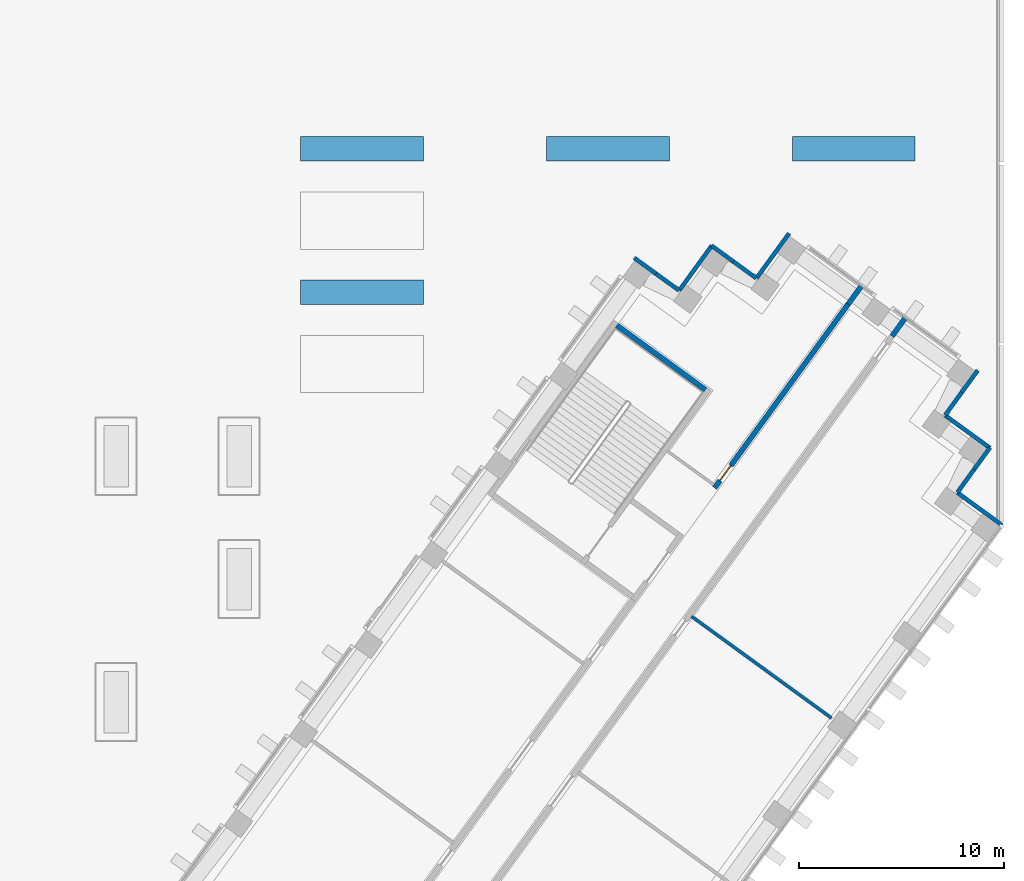
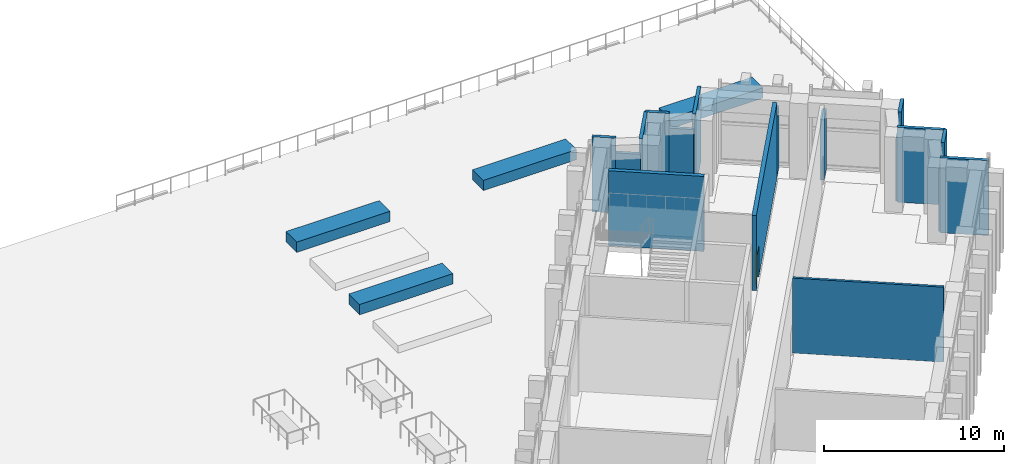
# One storey, part 19 of 25: 21 walls, 1 door, 1 opening.
"""IFC4 building model written with IfcOpenShell, lengths in metres."""

from ifc_helpers import new_model, si_unit, direction, frame, frame_2d, origin, place, context, subcontext, project, spatial, rectangle, extrude, material, layer, layer_set, type_object, element, fill, save


model = new_model("IFC4")

# Units and contexts
model_context = context("Model", 3, precision=1e-05, world=origin(), true_north=direction((0.0, 1.0)))
body_context = subcontext(model_context, "Body", "Model", "MODEL_VIEW")
ifc_project = project(units=[si_unit("LENGTHUNIT", "METRE"), si_unit("AREAUNIT", "SQUARE_METRE"), si_unit("VOLUMEUNIT", "CUBIC_METRE"), si_unit("PLANEANGLEUNIT", "RADIAN"), si_unit("MASSUNIT", "GRAM", prefix="KILO")], contexts=[model_context])

# Site, building, storey
site_placement = place(None, origin())
site = spatial("IfcSite", under=ifc_project, at=site_placement, CompositionType="ELEMENT")
building_placement = place(site_placement, origin())
building = spatial("IfcBuilding", under=site, at=building_placement, Name="Quipu Civic Tower", CompositionType="ELEMENT")
storey_placement = place(building_placement, frame((0.0, 0.0, 6.0)))
storey = spatial("IfcBuildingStorey", under=building, at=storey_placement, Name="L01", CompositionType="ELEMENT", Elevation=6.0)

# Walls
ifc_material_1 = material(Name="Double gypsum plasterboard with mineral wool")
ifc_layer_1 = layer(ifc_material_1, 0.14990234375)
ifc_layer_set_1 = layer_set([ifc_layer_1], Name="Double gypsum plasterboard with mineral wool")
wall_type_1 = type_object("IfcWallType", Name="Acoustic partition 150 plasterboard", PredefinedType="PARTITIONING", material=ifc_layer_set_1)
wall_1_placement = place(storey_placement, frame((46.921142578125, 20.210693359375, 0.0), z_axis=(0.0, 0.0, 1.0), x_axis=(-0.808992136407, 0.587819464829, 0.0)))
element("IfcWall", 1, at=wall_1_placement, inside=storey, type_object=wall_type_1, Name="Partition P02", PredefinedType="PARTITIONING", context=body_context, shape_type="SweptSolid", body=[
    extrude(rectangle(XDim=8.449951171875, YDim=0.14990234375, at=frame_2d((4.22509765625, 0.0))), origin(), (0.0, 0.0, 1.0), 5.10009765625),
])
ifc_material_2 = material(Name="Concrete C70/85", Category="concrete")
ifc_layer_2 = layer(ifc_material_2, 0.25)
ifc_layer_set_2 = layer_set([ifc_layer_2], Name="Concrete C70/85")
wall_type_2 = type_object("IfcWallType", Name="Core wall 250", PredefinedType="SHEAR", material=ifc_layer_set_2)
wall_2_placement = place(storey_placement, frame((40.76708984375, 36.239501953125, 0.0), z_axis=(0.0, 0.0, 1.0), x_axis=(-0.809020161303, 0.587780893365, 0.0)))
element("IfcWall", 2, at=wall_2_placement, inside=storey, type_object=wall_type_2, Name="Core wall", PredefinedType="SHEAR", context=body_context, shape_type="SweptSolid", body=[
    extrude(rectangle(XDim=5.349853515625, YDim=0.25, at=frame_2d((2.6748046875, 0.0))), origin(), (0.0, 0.0, 1.0), 5.10009765625),
])

# Wall, opening, door
ifc_material_3 = material(Name="Concrete C50/60", Category="concrete")
ifc_layer_3 = layer(ifc_material_3, 0.25)
ifc_layer_set_3 = layer_set([ifc_layer_3], Name="Concrete C50/60")
wall_type_3 = type_object("IfcWallType", Name="Corridor wall 250 concrete", PredefinedType="SOLIDWALL", material=ifc_layer_set_3)
wall_3_placement = place(storey_placement, frame((41.213134765625, 31.451416015625, 0.0), z_axis=(0.0, 0.0, 1.0), x_axis=(0.587773291021, 0.809025684612, 0.0)))
wall_3 = element("IfcWall", 3, at=wall_3_placement, inside=storey, type_object=wall_type_3, Name="Corridor wall C07", PredefinedType="SOLIDWALL", context=body_context, shape_type="SweptSolid", body=[
    extrude(rectangle(XDim=11.07861328125, YDim=0.25, at=frame_2d((5.539306640625, 0.0))), origin(), (0.0, 0.0, 1.0), 5.10009765625),
])
opening_placement = place(wall_3_placement, frame((0.44140625, 0.0, 0.0)))
opening = element("IfcOpeningElement", 4, at=opening_placement, cuts=wall_3, Name="Opening D004", PredefinedType="OPENING", context=body_context, shape_type="SweptSolid", body=[
    extrude(rectangle(XDim=0.89990234375, YDim=2.10009765625, at=frame_2d((0.449951171875, 1.050048828125))), frame((0.0, 0.135009765625, 0.0), z_axis=(0.0, -1.0, 0.0), x_axis=(1.0, 0.0, 0.0)), (0.0, 0.0, 1.0), 0.27001953125),
])
ifc_material_4 = material(Name="Fire rated timber door set with metal frame", Category="wood")
door_type = type_object("IfcDoorType", Name="Single door 900 x 2100 FD60", OperationType="NOTDEFINED", PredefinedType="DOOR", material=ifc_material_4)
door_placement = place(opening_placement, origin())
door = element("IfcDoor", 5, at=door_placement, inside=storey, type_object=door_type, Name="Door D004", OperationType="SINGLE_SWING_LEFT", OverallHeight=2.10009765625, OverallWidth=0.89990234375, PredefinedType="DOOR", context=body_context, shape_type="SweptSolid", body=[
    extrude(rectangle(XDim=0.89990234375, YDim=2.10009765625, at=frame_2d((0.449951171875, 1.050048828125))), frame((0.0, 0.02490234375, 0.0), z_axis=(0.0, -1.0, 0.0), x_axis=(1.0, 0.0, 0.0)), (0.0, 0.0, 1.0), 0.050048828125),
])
fill(opening, door)

# Walls
wall_4_placement = place(storey_placement, frame((49.86865234375, 38.8564453125, 0.0), z_axis=(0.0, 0.0, 1.0), x_axis=(0.587674273289, 0.809097613712, 0.0)))
element("IfcWall", 6, at=wall_4_placement, inside=storey, type_object=wall_type_3, Name="Corridor wall C01", PredefinedType="SOLIDWALL", context=body_context, shape_type="SweptSolid", body=[
    extrude(rectangle(XDim=1.109130859375, YDim=0.25, at=frame_2d((0.5546875, 0.0))), origin(), (0.0, 0.0, 1.0), 4.10009765625),
])
wall_5_placement = place(storey_placement, frame((47.724853515625, 40.414306640625, 0.0), z_axis=(0.0, 0.0, 1.0), x_axis=(0.587883639643, 0.808945502639, 0.0)))
element("IfcWall", 7, at=wall_5_placement, inside=storey, type_object=wall_type_3, Name="Corridor wall C07", PredefinedType="SOLIDWALL", context=body_context, shape_type="SweptSolid", body=[
    extrude(rectangle(XDim=1.10888671875, YDim=0.25, at=frame_2d((0.554443359375, 0.0))), origin(), (0.0, 0.0, 1.0), 4.10009765625),
])
ifc_material_5 = material(Name="Concrete C30/37", Category="concrete")
wall_type_4 = type_object("IfcWallType", Name="Garden planter", PredefinedType="SOLIDWALL", material=ifc_material_5)
for number, where, z_axis, x_axis, name in (
    (8, (21.0, 41.0, 0.0), (0.0, 0.0, 1.0), (1.0, 0.0, 0.0), "Garden planter 2"),
    (9, (21.0, 48.0, 0.0), (0.0, 0.0, 1.0), (1.0, 0.0, 0.0), "Garden planter 6"),
    (10, (33.0, 48.0, 0.0), (0.0, 0.0, 1.0), (1.0, 0.0, 0.0), "Garden planter 7"),
    (11, (45.0, 48.0, 0.0), (0.0, 0.0, 1.0), (1.0, 0.0, 0.0), "Garden planter 8"),
):
    element("IfcWall", number, at=place(storey_placement, frame(where, z_axis=z_axis, x_axis=x_axis)), inside=storey, type_object=wall_type_4, Name=name, PredefinedType="SOLIDWALL", context=body_context, shape_type="SweptSolid", body=[
        extrude(rectangle(XDim=6.0, YDim=1.199951171875, at=frame_2d((3.0, 0.0))), origin(), (0.0, 0.0, 1.0), 0.699951171875),
    ])
ifc_material_6 = material(Name="Precast concrete C40/50", Category="concrete")
wall_type_5 = type_object("IfcWallType", Name="Precast cladding wall", PredefinedType="SOLIDWALL", material=ifc_material_6)
wall_6_placement = place(storey_placement, frame((55.2470703125, 29.62890625, 0.0), z_axis=(0.0, 0.0, 1.0), x_axis=(-0.809033161865, 0.587762999008, 0.0)))
element("IfcWall", 12, at=wall_6_placement, inside=storey, type_object=wall_type_5, Name="Precast cladding wall L01 35", PredefinedType="SOLIDWALL", context=body_context, shape_type="SweptSolid", body=[
    extrude(rectangle(XDim=2.699951171875, YDim=0.199951171875, at=frame_2d((1.35009765625, 0.0))), origin(), (0.0, 0.0, 1.0), 5.10009765625),
])
wall_7_placement = place(storey_placement, frame((53.06005859375, 31.232666015625, 0.0), z_axis=(0.0, 0.0, 1.0), x_axis=(0.587776137069, 0.809023616894, 0.0)))
element("IfcWall", 13, at=wall_7_placement, inside=storey, type_object=wall_type_5, Name="Precast cladding wall L01 36", PredefinedType="SOLIDWALL", context=body_context, shape_type="SweptSolid", body=[
    extrude(rectangle(XDim=1.394775390625, YDim=0.199951171875, at=frame_2d((0.697265625, 0.0))), origin(), (0.0, 0.0, 1.0), 4.10009765625),
])
wall_8_placement = place(storey_placement, frame((53.8798828125, 32.361083984375, 0.0), z_axis=(0.0, 0.0, 1.0), x_axis=(0.587871379726, 0.808954412127, 0.0)))
element("IfcWall", 14, at=wall_8_placement, inside=storey, type_object=wall_type_5, Name="Precast cladding wall L01 36 a", PredefinedType="SOLIDWALL", context=body_context, shape_type="SweptSolid", body=[
    extrude(rectangle(XDim=1.30517578125, YDim=0.199951171875, at=frame_2d((0.652587890625, 0.0))), origin(), (0.0, 0.0, 1.0), 5.10009765625),
])
wall_9_placement = place(storey_placement, frame((54.649658203125, 33.400390625, 0.0), z_axis=(0.0, 0.0, 1.0), x_axis=(-0.809033161865, 0.587762999008, 0.0)))
element("IfcWall", 15, at=wall_9_placement, inside=storey, type_object=wall_type_5, Name="Precast cladding wall L01 37", PredefinedType="SOLIDWALL", context=body_context, shape_type="SweptSolid", body=[
    extrude(rectangle(XDim=2.699951171875, YDim=0.199951171875, at=frame_2d((1.35009765625, 0.0))), origin(), (0.0, 0.0, 1.0), 5.10009765625),
])
wall_10_placement = place(storey_placement, frame((52.462646484375, 35.004150390625, 0.0), z_axis=(0.0, 0.0, 1.0), x_axis=(0.587782252522, 0.809019173827, 0.0)))
element("IfcWall", 16, at=wall_10_placement, inside=storey, type_object=wall_type_5, Name="Precast cladding wall L01 38", PredefinedType="SOLIDWALL", context=body_context, shape_type="SweptSolid", body=[
    extrude(rectangle(XDim=1.37939453125, YDim=0.199951171875, at=frame_2d((0.689697265625, 0.0))), origin(), (0.0, 0.0, 1.0), 4.10009765625),
])
wall_11_placement = place(storey_placement, frame((53.2734375, 36.1201171875, 0.0), z_axis=(0.0, 0.0, 1.0), x_axis=(0.58786388341, 0.808959859686, 0.0)))
element("IfcWall", 17, at=wall_11_placement, inside=storey, type_object=wall_type_5, Name="Precast cladding wall L01 38 a", PredefinedType="SOLIDWALL", context=body_context, shape_type="SweptSolid", body=[
    extrude(rectangle(XDim=1.320556640625, YDim=0.199951171875, at=frame_2d((0.66015625, 0.0))), origin(), (0.0, 0.0, 1.0), 5.10009765625),
])
wall_12_placement = place(storey_placement, frame((44.846435546875, 43.875, 0.0), z_axis=(0.0, 0.0, 1.0), x_axis=(-0.587822180636, -0.808990163075, 0.0)))
element("IfcWall", 18, at=wall_12_placement, inside=storey, type_object=wall_type_5, Name="Precast cladding wall L01 41", PredefinedType="SOLIDWALL", context=body_context, shape_type="SweptSolid", body=[
    extrude(rectangle(XDim=2.699951171875, YDim=0.199951171875, at=frame_2d((1.35009765625, 0.0))), origin(), (0.0, 0.0, 1.0), 5.10009765625),
])
wall_13_placement = place(storey_placement, frame((43.242431640625, 41.68798828125, 0.0), z_axis=(0.0, 0.0, 1.0), x_axis=(-0.808926734208, 0.5879094647, 0.0)))
element("IfcWall", 19, at=wall_13_placement, inside=storey, type_object=wall_type_5, Name="Precast cladding wall L01 42", PredefinedType="SOLIDWALL", context=body_context, shape_type="SweptSolid", body=[
    extrude(rectangle(XDim=1.384033203125, YDim=0.199951171875, at=frame_2d((0.69189453125, 0.0))), origin(), (0.0, 0.0, 1.0), 4.10009765625),
])
wall_14_placement = place(storey_placement, frame((42.122802734375, 42.501708984375, 0.0), z_axis=(0.0, 0.0, 1.0), x_axis=(-0.809056865039, 0.587730371117, 0.0)))
element("IfcWall", 20, at=wall_14_placement, inside=storey, type_object=wall_type_5, Name="Precast cladding wall L01 42 a", PredefinedType="SOLIDWALL", context=body_context, shape_type="SweptSolid", body=[
    extrude(rectangle(XDim=1.31591796875, YDim=0.199951171875, at=frame_2d((0.657958984375, 0.0))), origin(), (0.0, 0.0, 1.0), 5.10009765625),
])
wall_15_placement = place(storey_placement, frame((41.074951171875, 43.277587890625, 0.0), z_axis=(0.0, 0.0, 1.0), x_axis=(-0.587806000234, -0.809001919707, 0.0)))
element("IfcWall", 21, at=wall_15_placement, inside=storey, type_object=wall_type_5, Name="Precast cladding wall L01 43", PredefinedType="SOLIDWALL", context=body_context, shape_type="SweptSolid", body=[
    extrude(rectangle(XDim=2.69970703125, YDim=0.199951171875, at=frame_2d((1.349853515625, 0.0))), origin(), (0.0, 0.0, 1.0), 5.10009765625),
])
wall_16_placement = place(storey_placement, frame((39.47119140625, 41.0908203125, 0.0), z_axis=(0.0, 0.0, 1.0), x_axis=(-0.809002762913, 0.58780483972, 0.0)))
element("IfcWall", 22, at=wall_16_placement, inside=storey, type_object=wall_type_5, Name="Precast cladding wall L01 44", PredefinedType="SOLIDWALL", context=body_context, shape_type="SweptSolid", body=[
    extrude(rectangle(XDim=1.38525390625, YDim=0.199951171875, at=frame_2d((0.692626953125, 0.0))), origin(), (0.0, 0.0, 1.0), 4.10009765625),
])
wall_17_placement = place(storey_placement, frame((38.3505859375, 41.905029296875, 0.0), z_axis=(0.0, 0.0, 1.0), x_axis=(-0.809065186597, 0.587718915671, 0.0)))
element("IfcWall", 23, at=wall_17_placement, inside=storey, type_object=wall_type_5, Name="Precast cladding wall L01 44 a", PredefinedType="SOLIDWALL", context=body_context, shape_type="SweptSolid", body=[
    extrude(rectangle(XDim=1.314697265625, YDim=0.199951171875, at=frame_2d((0.6572265625, 0.0))), origin(), (0.0, 0.0, 1.0), 5.10009765625),
])

save(model, "model.ifc")
